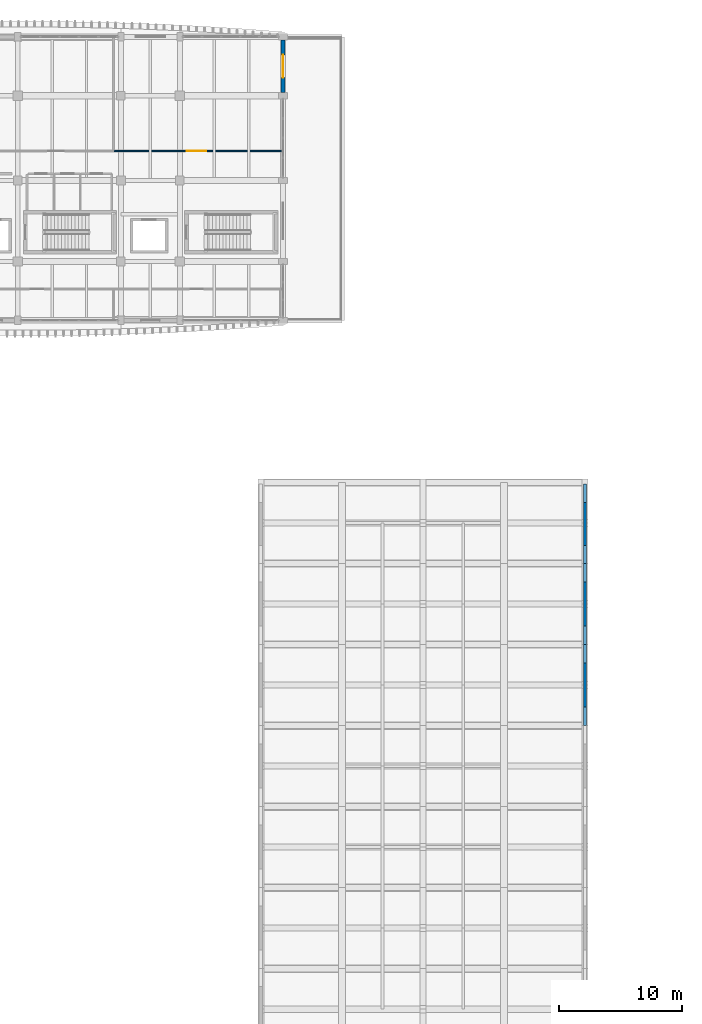
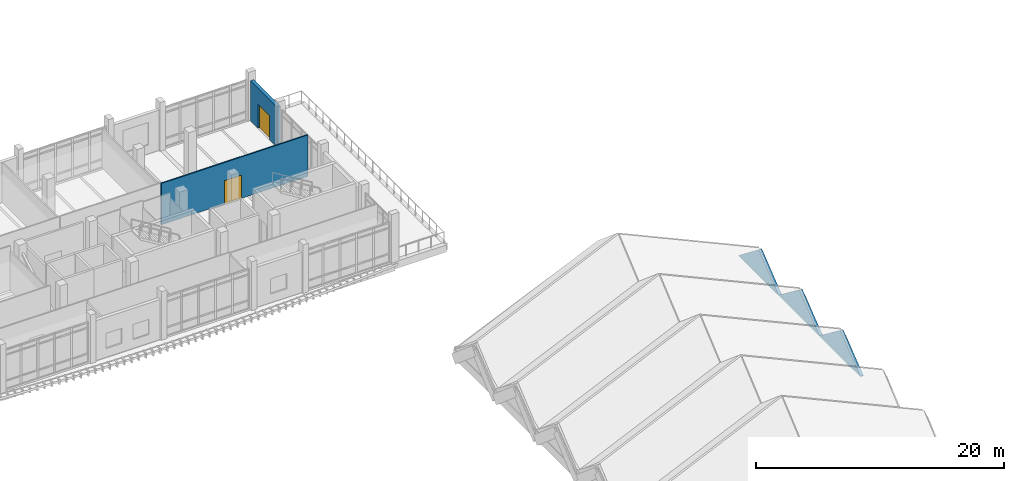
# One storey, part 29 of 50: 5 walls, 2 doors, 2 openings.
"""IFC4 building model written with IfcOpenShell, lengths in metres."""

import ifcopenshell
import ifcopenshell.guid

model = None  # the IFC model being written
_history = None  # IfcOwnerHistory: only IFC2X3 demands one
_inside = {}  # id of a spatial element -> (the spatial element, [elements in it])
_under = {}  # id of a project, library or spatial element -> (it, [spatial elements below it])
_declared = {}  # id of a project -> (the project, [libraries it declares])
_typed = {}  # id of a type object -> (the type object, [elements of that type])
_made_of = {}  # id of a material, layer set ... -> (it, [elements and type objects made of it])


def new_model(schema):
    """Start an empty IFC model of exactly this schema.

    Asked for "IFC4X3", IfcOpenShell would pick the latest addendum, in which some entities
    have other attributes; the version numbers below select the first issue.
    IFC2X3 requires an IfcOwnerHistory on every rooted entity: one is made here for all.
    """
    global model, _history
    if schema == "IFC4X3":
        model = ifcopenshell.file(schema_version=(4, 3, 0, 0))
    else:
        model = ifcopenshell.file(schema=schema)
    _inside.clear()
    _under.clear()
    _declared.clear()
    _typed.clear()
    _made_of.clear()
    _history = None
    if model.schema == "IFC2X3":
        org = make("IfcOrganization", Name="unknown")
        user = make(
            "IfcPersonAndOrganization",
            ThePerson=make("IfcPerson", FamilyName="unknown"),
            TheOrganization=org,
        )
        app = make(
            "IfcApplication",
            ApplicationDeveloper=org,
            Version="unknown",
            ApplicationFullName="unknown",
            ApplicationIdentifier="unknown",
        )
        _history = make(
            "IfcOwnerHistory",
            OwningUser=user,
            OwningApplication=app,
            ChangeAction="ADDED",
            CreationDate=0,
        )
    return model


def make(cls, **values):
    """One entity of the class cls with the attributes given. An attribute that is None is left unset."""
    return model.create_entity(
        cls, **{name: value for name, value in values.items() if value is not None}
    )


def rooted(cls, **values):
    """An entity with a GlobalId (a new one), such as an element, a storey or a relation."""
    return make(cls, GlobalId=ifcopenshell.guid.new(), OwnerHistory=_history, **values)


def si_unit(unit_type, name, prefix=None):
    """IfcSIUnit, for example si_unit("LENGTHUNIT", "METRE", prefix="MILLI")."""
    return make("IfcSIUnit", UnitType=unit_type, Prefix=prefix, Name=name)


def assignment(units):
    """IfcUnitAssignment: the units of a project."""
    return None if units is None else make("IfcUnitAssignment", Units=units)


def point(xyz):
    """IfcCartesianPoint."""
    return None if xyz is None else make("IfcCartesianPoint", Coordinates=xyz)


def direction(xyz):
    """IfcDirection."""
    return None if xyz is None else make("IfcDirection", DirectionRatios=xyz)


def frame(location, z_axis=None, x_axis=None):
    """IfcAxis2Placement3D, a coordinate frame: its origin and axes. An axis left out is left unset."""
    return make(
        "IfcAxis2Placement3D",
        Location=point(location),
        Axis=direction(z_axis),
        RefDirection=direction(x_axis),
    )


def frame_2d(location, x_axis=None):
    """IfcAxis2Placement2D, a coordinate frame in the plane: its origin and x axis."""
    return make(
        "IfcAxis2Placement2D", Location=point(location), RefDirection=direction(x_axis)
    )


def origin():
    """The frame at (0, 0, 0) with its axes left unset."""
    return frame((0.0, 0.0, 0.0))


def place(relative_to, where):
    """IfcLocalPlacement: puts the frame where relative to a parent placement (None: the world)."""
    return make(
        "IfcLocalPlacement", PlacementRelTo=relative_to, RelativePlacement=where
    )


def context(
    kind, dimensions, precision=None, world=None, true_north=None, identifier=None
):
    """IfcGeometricRepresentationContext, for example the 3D "Model" context."""
    return make(
        "IfcGeometricRepresentationContext",
        ContextIdentifier=identifier,
        ContextType=kind,
        CoordinateSpaceDimension=dimensions,
        Precision=precision,
        WorldCoordinateSystem=world,
        TrueNorth=true_north,
    )


def subcontext(parent, identifier, kind, view, scale=None):
    """IfcGeometricRepresentationSubContext, for example "Body" below "Model"."""
    return make(
        "IfcGeometricRepresentationSubContext",
        ContextIdentifier=identifier,
        ContextType=kind,
        ParentContext=parent,
        TargetScale=scale,
        TargetView=view,
    )


def project(units=None, contexts=None):
    """IfcProject with its units and contexts."""
    return rooted(
        "IfcProject",
        Name="project",
        RepresentationContexts=contexts,
        UnitsInContext=assignment(units),
    )


def spatial(cls, under=None, at=None, **own):
    """A site, building, storey or space (cls), placed at a placement, below another one or the project."""
    s = rooted(cls, ObjectPlacement=at, **own)
    if under is not None:
        _under.setdefault(under.id(), (under, []))[1].append(s)
    return s


def polyline(points):
    """IfcPolyline through the points."""
    return make("IfcPolyline", Points=[point(p) for p in points])


def profile(cls, at=None, kind="AREA", **sizes):
    """A parametric profile (cls). Its sizes go by their IFC names, for example OverallWidth=200.0."""
    return make(cls, ProfileType=kind, Position=at, **sizes)


def rectangle(**sizes):
    """IfcRectangleProfileDef."""
    return profile("IfcRectangleProfileDef", **sizes)


def outline(outer, holes=None, kind="AREA"):
    """IfcArbitraryClosedProfileDef: a profile drawn as a closed curve; with holes, ...WithVoids."""
    if holes is None:
        return make("IfcArbitraryClosedProfileDef", ProfileType=kind, OuterCurve=outer)
    return make(
        "IfcArbitraryProfileDefWithVoids",
        ProfileType=kind,
        OuterCurve=outer,
        InnerCurves=holes,
    )


def extrude(swept, where, along, depth):
    """IfcExtrudedAreaSolid: the profile swept, set in the frame where, extruded along a direction by depth."""
    return make(
        "IfcExtrudedAreaSolid",
        SweptArea=swept,
        Position=where,
        ExtrudedDirection=direction(along),
        Depth=depth,
    )


def shape(context_of_items, identifier, shape_type, items):
    """IfcShapeRepresentation: the items that make up one representation, for example the "Body"."""
    return make(
        "IfcShapeRepresentation",
        ContextOfItems=context_of_items,
        RepresentationIdentifier=identifier,
        RepresentationType=shape_type,
        Items=items,
    )


def material(Name=None, Category=None):
    """IfcMaterial."""
    return make("IfcMaterial", Name=Name, Category=Category)


def layer(
    of_material, thickness, ventilated=None, Name=None, Category=None, Priority=None
):
    """IfcMaterialLayer: one layer of a wall or slab, of a material (None: an air gap)."""
    return make(
        "IfcMaterialLayer",
        Material=of_material,
        LayerThickness=thickness,
        IsVentilated=ventilated,
        Name=Name,
        Category=Category,
        Priority=Priority,
    )


def layer_set(layers, Name=None):
    """IfcMaterialLayerSet."""
    return make("IfcMaterialLayerSet", MaterialLayers=layers, LayerSetName=Name)


def made_of(thing, what):
    """Note that an element or type object is made of a material, layer set ...; save() writes the relation."""
    if what is not None:
        _made_of.setdefault(what.id(), (what, []))[1].append(thing)
    return thing


def type_object(cls, material=None, **own):
    """A type object (cls), such as IfcWallType, which elements share."""
    return made_of(rooted(cls, **own), material)


def element(
    cls,
    number,
    at=None,
    inside=None,
    cuts=None,
    type_object=None,
    material=None,
    context=None,
    identifier="Body",
    shape_type=None,
    held_by="IfcProductDefinitionShape",
    body=None,
    shapes=None,
    **own,
):
    """One element of the class cls, such as IfcWall. Its Tag is "e" and its number.

    at: its placement. inside: the storey or other place that contains it. cuts: it is an
    opening in that element (IfcRelVoidsElement). A single representation is given by context,
    identifier, shape_type and body (its items); several are given by shapes. held_by: the class
    of the entity that holds the representations. save() writes the other relations.
    """
    e = rooted(cls, Tag="e%d" % number, ObjectPlacement=at, **own)
    if body is not None:
        shapes = [shape(context, identifier, shape_type, body)]
    if shapes is not None:
        e.Representation = make(held_by, Representations=shapes)
    if inside is not None:
        _inside.setdefault(inside.id(), (inside, []))[1].append(e)
    if cuts is not None:
        rooted(
            "IfcRelVoidsElement", RelatingBuildingElement=cuts, RelatedOpeningElement=e
        )
    if type_object is not None:
        _typed.setdefault(type_object.id(), (type_object, []))[1].append(e)
    return made_of(e, material)


def fill(opening, filler):
    """IfcRelFillsElement: the door or window that sits in an opening."""
    return rooted(
        "IfcRelFillsElement",
        RelatingOpeningElement=opening,
        RelatedBuildingElement=filler,
    )


def aggregate(whole, parts):
    """IfcRelAggregates: a whole, such as a stair, and the parts it consists of."""
    return rooted("IfcRelAggregates", RelatingObject=whole, RelatedObjects=parts)


def save(model, path):
    """Write the relations noted so far, then the file.

    IfcRelAggregates (storeys below a building ...), IfcRelContainedInSpatialStructure (elements
    in a storey), IfcRelDefinesByType, IfcRelAssociatesMaterial and IfcRelDeclares: one each for
    every whole, place, type object, material and project.
    """
    for whole, parts in _under.values():
        aggregate(whole, parts)
    for where, things in _inside.values():
        rooted(
            "IfcRelContainedInSpatialStructure",
            RelatedElements=things,
            RelatingStructure=where,
        )
    for kind, things in _typed.values():
        rooted("IfcRelDefinesByType", RelatedObjects=things, RelatingType=kind)
    for what, things in _made_of.values():
        rooted("IfcRelAssociatesMaterial", RelatedObjects=things, RelatingMaterial=what)
    for by, libraries in _declared.values():
        rooted("IfcRelDeclares", RelatingContext=by, RelatedDefinitions=libraries)
    model.write(path)


model = new_model("IFC4")

# Units and contexts
model_context = context("Model", 3, precision=1e-05, world=origin(), true_north=direction((0.0, 1.0)))
body_context = subcontext(model_context, "Body", "Model", "MODEL_VIEW")
ifc_project = project(units=[si_unit("LENGTHUNIT", "METRE"), si_unit("AREAUNIT", "SQUARE_METRE"), si_unit("VOLUMEUNIT", "CUBIC_METRE"), si_unit("PLANEANGLEUNIT", "RADIAN"), si_unit("MASSUNIT", "GRAM", prefix="KILO")], contexts=[model_context])

# Site, building, storey
site_placement = place(None, origin())
site = spatial("IfcSite", under=ifc_project, at=site_placement, CompositionType="ELEMENT")
building_placement = place(site_placement, origin())
building = spatial("IfcBuilding", under=site, at=building_placement, Name="Dornvale Research Institute", CompositionType="ELEMENT")
storey_placement = place(building_placement, frame((0.0, 0.0, 19.800048828125)))
storey = spatial("IfcBuildingStorey", under=building, at=storey_placement, Name="L04", CompositionType="ELEMENT", Elevation=19.800048828125)

# Wall, opening, door
ifc_material_1 = material(Name="Acoustic Insulated Double-Stud Laboratory Partition")
ifc_layer_1 = layer(ifc_material_1, 0.1201171875)
ifc_layer_set_1 = layer_set([ifc_layer_1], Name="Acoustic Insulated Double-Stud Laboratory Partition")
wall_type_1 = type_object("IfcWallType", Name="Partition_Dry_120", PredefinedType="PARTITIONING", material=ifc_layer_set_1)
wall_1_placement = place(storey_placement, frame((27.675048828125, 112.800048828125, 0.0), z_axis=(0.0, 0.0, 1.0), x_axis=(1.0, 0.0, 0.0)))
wall_1 = element("IfcWall", 1, at=wall_1_placement, inside=storey, type_object=wall_type_1, Name="L04 V5 interior partition #419", PredefinedType="PARTITIONING", context=body_context, shape_type="SweptSolid", body=[
    extrude(rectangle(XDim=13.68505859375, YDim=0.1201171875, at=frame_2d((6.842529296875, 0.0))), origin(), (0.0, 0.0, 1.0), 4.079833984375),
])
opening_1_placement = place(wall_1_placement, frame((5.89501953125, 0.0, 0.0)))
opening_1 = element("IfcOpeningElement", 2, at=opening_1_placement, cuts=wall_1, Name="Opening ID-18", PredefinedType="OPENING", context=body_context, shape_type="SweptSolid", body=[
    extrude(rectangle(XDim=1.580078125, YDim=2.300048828125, at=frame_2d((0.7900390625, 1.14990234375))), frame((0.0, 0.074951171875, 0.0), z_axis=(0.0, -1.0, 0.0), x_axis=(1.0, 0.0, 0.0)), (0.0, 0.0, 1.0), 0.150146484375),
])
ifc_material_2 = material(Name="Phenolic-Faced Solid-Core Laboratory Door Assembly")
door_type_1 = type_object("IfcDoorType", Name="Door_Collab_1580x2300", OperationType="SINGLE_SWING_LEFT", PredefinedType="DOOR", material=ifc_material_2)
door_1_placement = place(opening_1_placement, origin())
door_1 = element("IfcDoor", 3, at=door_1_placement, inside=storey, type_object=door_type_1, Name="L04 Terrace Reading and Collaboration Lounge L04 door #169", OperationType="SINGLE_SWING_RIGHT", OverallHeight=2.300048828125, OverallWidth=1.580078125, PredefinedType="DOOR", context=body_context, shape_type="SweptSolid", body=[
    extrude(rectangle(XDim=1.580078125, YDim=2.300048828125, at=frame_2d((0.7900390625, 1.14990234375))), frame((0.0, 0.02490234375, 0.0), z_axis=(0.0, -1.0, 0.0), x_axis=(1.0, 0.0, 0.0)), (0.0, 0.0, 1.0), 0.050048828125),
])
fill(opening_1, door_1)

# Walls
ifc_material_3 = material(Name="Precast Concrete f'c 40 MPa (C32/40) and Glazed Terracotta Backup Wall", Category="masonry")
ifc_layer_2 = layer(ifc_material_3, 0.280029296875)
ifc_layer_set_2 = layer_set([ifc_layer_2], Name="Precast Concrete f'c 40 MPa (C32/40) and Glazed Terracotta Backup Wall")
wall_type_2 = type_object("IfcWallType", Name="SolidWall_TerracottaBackup_280", PredefinedType="SOLIDWALL", material=ifc_layer_set_2)
wall_2_placement = place(storey_placement, frame((66.0, 72.60009765625, 0.0), z_axis=(0.0, 0.0, 1.0), x_axis=(0.0, -1.0, 0.0)))
element("IfcWall", 4, at=wall_2_placement, inside=storey, type_object=wall_type_2, Name="V2 east accordion pleat gable wall #5", PredefinedType="SOLIDWALL", context=body_context, shape_type="SweptSolid", body=[
    extrude(outline(polyline([(0.0, 0.0), (6.60009765625, 0.0), (6.60009765625, 0.050048828125), (3.300048828125, 2.579833984375), (0.0, 0.050048828125), (0.0, 0.0)])), frame((0.0, 0.14013671875, 0.0), z_axis=(0.0, -1.0, 0.0), x_axis=(1.0, 0.0, 0.0)), (0.0, 0.0, 1.0), 0.280029296875),
])
wall_3_placement = place(storey_placement, frame((66.0, 79.199951171875, 0.0), z_axis=(0.0, 0.0, 1.0), x_axis=(0.0, -1.0, 0.0)))
element("IfcWall", 5, at=wall_3_placement, inside=storey, type_object=wall_type_2, Name="V2 east accordion pleat gable wall #6", PredefinedType="SOLIDWALL", context=body_context, shape_type="SweptSolid", body=[
    extrude(outline(polyline([(0.0, 0.0), (6.599853515625, 0.0), (6.60009765625, 0.050048828125), (3.300048828125, 2.579833984375), (0.0, 0.050048828125), (0.0, 0.0)])), frame((0.0, 0.14013671875, 0.0), z_axis=(0.0, -1.0, 0.0), x_axis=(1.0, 0.0, 0.0)), (0.0, 0.0, 1.0), 0.280029296875),
])
wall_4_placement = place(storey_placement, frame((66.0, 85.659912109375, 0.0), z_axis=(0.0, 0.0, 1.0), x_axis=(0.0, -1.0, 0.0)))
element("IfcWall", 6, at=wall_4_placement, inside=storey, type_object=wall_type_2, Name="V2 east accordion pleat gable wall #7", PredefinedType="SOLIDWALL", context=body_context, shape_type="SweptSolid", body=[
    extrude(outline(polyline([(0.0, 0.0), (6.4599609375, 0.0), (6.4599609375, 0.050048828125), (3.22998046875, 2.579833984375), (0.0, 0.050048828125), (0.0, 0.0)])), frame((0.0, 0.14013671875, 0.0), z_axis=(0.0, -1.0, 0.0), x_axis=(1.0, 0.0, 0.0)), (0.0, 0.0, 1.0), 0.280029296875),
])

# Wall, opening, door
ifc_material_4 = material(Name="Catalan Pressed Brick and Insulated Cavity Assembly", Category="masonry")
ifc_layer_3 = layer(ifc_material_4, 0.320068359375)
ifc_layer_set_3 = layer_set([ifc_layer_3], Name="Catalan Pressed Brick and Insulated Cavity Assembly")
wall_type_3 = type_object("IfcWallType", Name="StandardWall_BrickCavity_320", PredefinedType="STANDARD", material=ifc_layer_set_3)
wall_5_placement = place(storey_placement, frame((41.39990234375, 121.85009765625, 0.0), z_axis=(0.0, 0.0, 1.0), x_axis=(0.0, -1.0, 0.0)))
wall_5 = element("IfcWall", 7, at=wall_5_placement, inside=storey, type_object=wall_type_3, Name="L04 V5 east exterior wall #352", PredefinedType="STANDARD", context=body_context, shape_type="SweptSolid", body=[
    extrude(rectangle(XDim=4.300048828125, YDim=0.320068359375, at=frame_2d((2.14990234375, 0.0))), origin(), (0.0, 0.0, 1.0), 3.949951171875),
])
opening_2_placement = place(wall_5_placement, frame((1.22509765625, 0.0, 0.0)))
opening_2 = element("IfcOpeningElement", 8, at=opening_2_placement, cuts=wall_5, Name="Opening TD-01", PredefinedType="OPENING", context=body_context, shape_type="SweptSolid", body=[
    extrude(rectangle(XDim=1.85009765625, YDim=2.35009765625, at=frame_2d((0.925048828125, 1.175048828125))), frame((0.0, 0.175048828125, 0.0), z_axis=(0.0, -1.0, 0.0), x_axis=(1.0, 0.0, 0.0)), (0.0, 0.0, 1.0), 0.35009765625),
])
ifc_material_5 = material(Name="Galvanized Hollow Metal Insulated Door Assembly")
door_type_2 = type_object("IfcDoorType", Name="Door_TerraceGlazed_1850x2350", OperationType="SINGLE_SWING_LEFT", PredefinedType="DOOR", material=ifc_material_5)
door_2_placement = place(opening_2_placement, origin())
door_2 = element("IfcDoor", 9, at=door_2_placement, inside=storey, type_object=door_type_2, Name="L04 V5 terrace door TD-01 #34", OperationType="DOUBLE_DOOR_SINGLE_SWING", OverallHeight=2.35009765625, OverallWidth=1.85009765625, PredefinedType="DOOR", context=body_context, shape_type="SweptSolid", body=[
    extrude(rectangle(XDim=1.85009765625, YDim=2.35009765625, at=frame_2d((0.925048828125, 1.175048828125))), frame((0.0, 0.02490234375, 0.0), z_axis=(0.0, -1.0, 0.0), x_axis=(1.0, 0.0, 0.0)), (0.0, 0.0, 1.0), 0.050048828125),
])
fill(opening_2, door_2)

save(model, "model.ifc")
